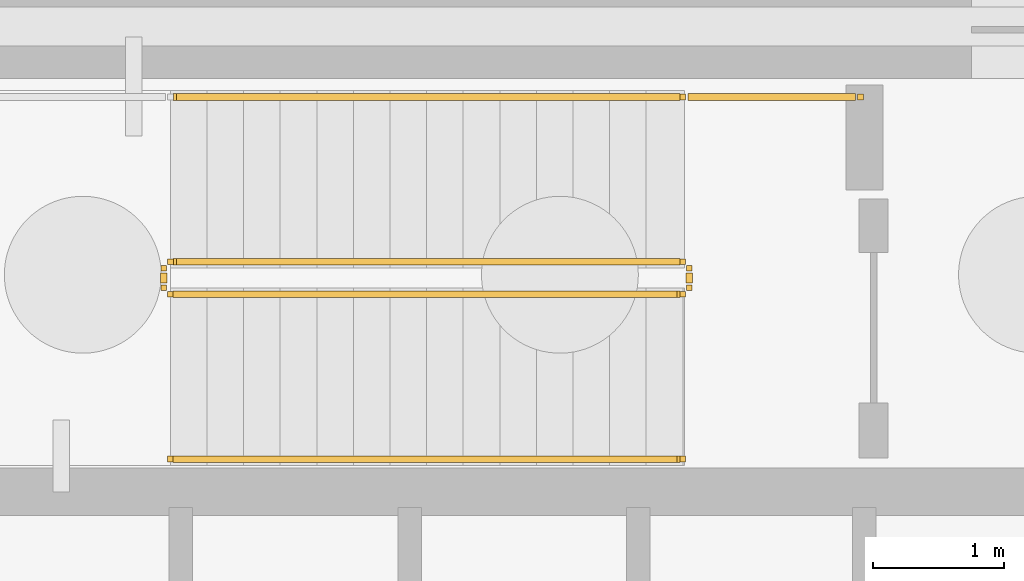
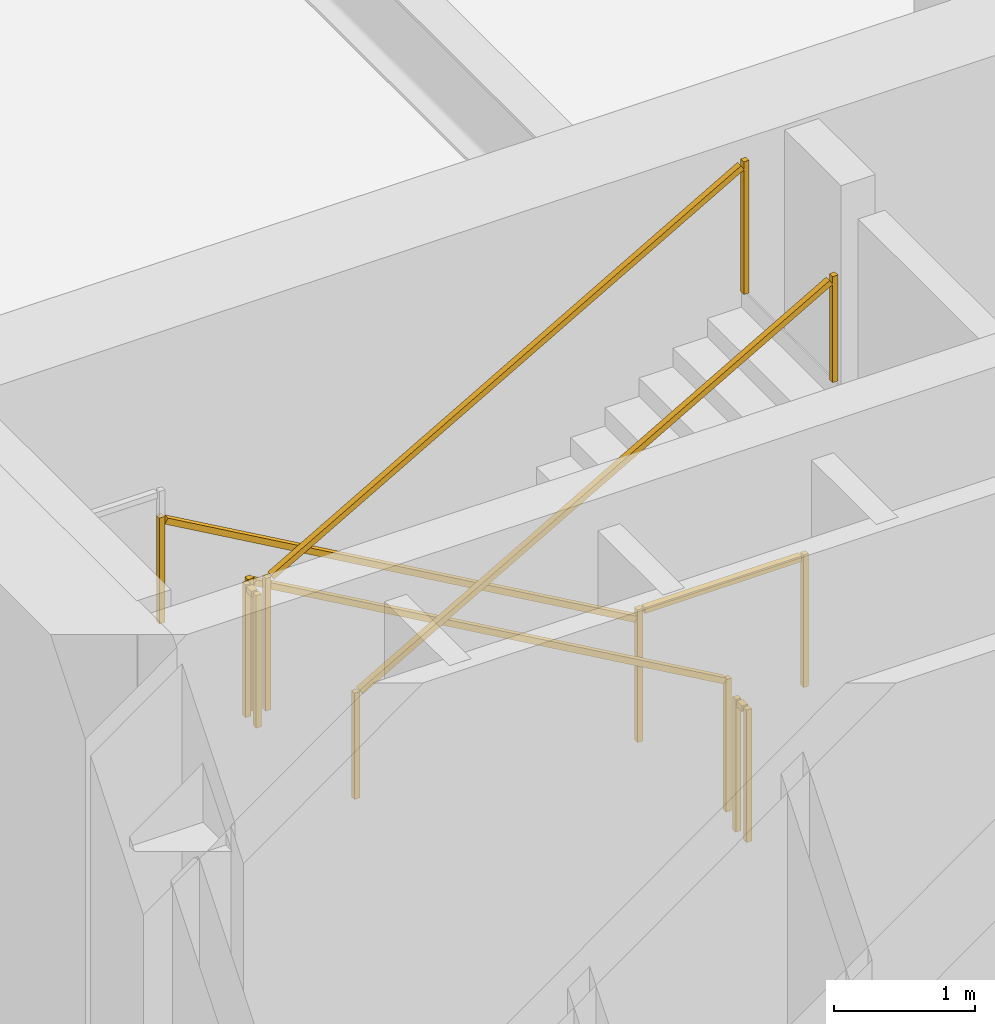
# One storey, part 12 of 14: 7 railings.
"""IFC4 building model written with IfcOpenShell, lengths in metres."""

from ifc_helpers import new_model, si_unit, direction, frame, origin, origin_2d, place, context, subcontext, project, spatial, rectangle, extrude, material, type_object, element, save


model = new_model("IFC4")

# Units and contexts
model_context = context("Model", 3, precision=1e-05, world=origin(), true_north=direction((0.0, 1.0)))
body_context = subcontext(model_context, "Body", "Model", "MODEL_VIEW")
ifc_project = project(units=[si_unit("LENGTHUNIT", "METRE"), si_unit("AREAUNIT", "SQUARE_METRE"), si_unit("VOLUMEUNIT", "CUBIC_METRE"), si_unit("PLANEANGLEUNIT", "RADIAN"), si_unit("MASSUNIT", "GRAM", prefix="KILO")], contexts=[model_context])

# Site, building, storey
site_placement = place(None, origin())
site = spatial("IfcSite", under=ifc_project, at=site_placement, CompositionType="ELEMENT")
building_placement = place(site_placement, origin())
building = spatial("IfcBuilding", under=site, at=building_placement, Name="Yunling Apex Tower", CompositionType="ELEMENT")
storey_placement = place(building_placement, frame((0.0, 0.0, -9.60009765625)))
storey = spatial("IfcBuildingStorey", under=building, at=storey_placement, Name="B02", CompositionType="ELEMENT", Elevation=-9.60009765625)

# Railings
ifc_material_1 = material(Name="Steel Q355B", Category="steel")
railing_type_1 = type_object("IfcRailingType", Name="RL-GRD-1150", PredefinedType="GUARDRAIL", material=ifc_material_1)
railing_1_placement = place(storey_placement, frame((-0.010009765625, 3.699951171875, 0.16015625)))
element("IfcRailing", 1, at=railing_1_placement, inside=storey, type_object=railing_type_1, Name="B02 ST-1 stair guard 1", PredefinedType="GUARDRAIL", context=body_context, shape_type="SweptSolid", body=[
    extrude(rectangle(XDim=0.0439453125, YDim=0.0439453125, at=origin_2d()), origin(), (0.0, 0.0, 1.0), 1.14990234375),
    extrude(rectangle(XDim=0.0439453125, YDim=0.0439453125, at=origin_2d()), frame((-3.919921875, 0.0, 2.239990234375)), (0.0, 0.0, 1.0), 1.14990234375),
    extrude(rectangle(XDim=0.050048828125, YDim=0.050048828125, at=origin_2d()), frame((-0.033203125, 0.0, 1.143798828125), z_axis=(-0.868239814368, 0.0, 0.496144761885), x_axis=(0.0, -1.0, 0.0)), (0.0, 0.0, 1.0), 4.438232421875),
])
railing_2_placement = place(storey_placement, frame((-3.97998046875, 3.64990234375, 2.400146484375)))
element("IfcRailing", 2, at=railing_2_placement, inside=storey, type_object=railing_type_1, Name="B02 ST-1 stair guard 2", PredefinedType="GUARDRAIL", context=body_context, shape_type="SweptSolid", body=[
    extrude(rectangle(XDim=0.0439453125, YDim=0.0439453125, at=origin_2d()), origin(), (0.0, 0.0, 1.0), 1.14990234375),
    extrude(rectangle(XDim=0.0439453125, YDim=0.0439453125, at=origin_2d()), frame((0.0, -0.14990234375, 0.0)), (0.0, 0.0, 1.0), 1.14990234375),
    extrude(rectangle(XDim=0.050048828125, YDim=0.050048828125, at=origin_2d()), frame((0.0, -0.038330078125, 1.125), z_axis=(0.0, -1.0, 0.0), x_axis=(1.0, 0.0, 0.0)), (0.0, 0.0, 1.0), 0.0732421875),
])
railing_3_placement = place(storey_placement, frame((-3.929931640625, 3.449951171875, 2.56005859375)))
element("IfcRailing", 3, at=railing_3_placement, inside=storey, type_object=railing_type_1, Name="B02 ST-1 stair guard 4", PredefinedType="GUARDRAIL", context=body_context, shape_type="SweptSolid", body=[
    extrude(rectangle(XDim=0.0439453125, YDim=0.0439453125, at=origin_2d()), origin(), (0.0, 0.0, 1.0), 1.14990234375),
    extrude(rectangle(XDim=0.0439453125, YDim=0.0439453125, at=origin_2d()), frame((3.919921875, 0.0, 2.239990234375)), (0.0, 0.0, 1.0), 1.14990234375),
    extrude(rectangle(XDim=0.050048828125, YDim=0.050048828125, at=origin_2d()), frame((0.033203125, 0.0, 1.143798828125), z_axis=(0.868239814368, 0.0, 0.496144761885), x_axis=(0.0, 1.0, 0.0)), (0.0, 0.0, 1.0), 4.438232421875),
])
railing_4_placement = place(storey_placement, frame((0.0400390625, 3.64990234375, 0.0)))
element("IfcRailing", 4, at=railing_4_placement, inside=storey, type_object=railing_type_1, Name="B02 ST-1 stair guard 5", PredefinedType="GUARDRAIL", context=body_context, shape_type="SweptSolid", body=[
    extrude(rectangle(XDim=0.0439453125, YDim=0.0439453125, at=origin_2d()), origin(), (0.0, 0.0, 1.0), 1.14990234375),
    extrude(rectangle(XDim=0.0439453125, YDim=0.0439453125, at=origin_2d()), frame((0.0, -0.14990234375, 0.0)), (0.0, 0.0, 1.0), 1.14990234375),
    extrude(rectangle(XDim=0.050048828125, YDim=0.050048828125, at=origin_2d()), frame((0.0, -0.038330078125, 1.125), z_axis=(0.0, -1.0, 0.0), x_axis=(1.0, 0.0, 0.0)), (0.0, 0.0, 1.0), 0.0732421875),
])
railing_5_placement = place(storey_placement, frame((1.35009765625, 4.9599609375, 0.0)))
element("IfcRailing", 5, at=railing_5_placement, inside=storey, type_object=railing_type_1, Name="B02 ST-1 stair guard 6", PredefinedType="GUARDRAIL", context=body_context, shape_type="SweptSolid", body=[
    extrude(rectangle(XDim=0.0439453125, YDim=0.0439453125, at=origin_2d()), origin(), (0.0, 0.0, 1.0), 1.14990234375),
    extrude(rectangle(XDim=0.0439453125, YDim=0.0439453125, at=origin_2d()), frame((-1.360107421875, 0.0, 0.0)), (0.0, 0.0, 1.0), 1.14990234375),
    extrude(rectangle(XDim=0.050048828125, YDim=0.050048828125, at=origin_2d()), frame((-0.038330078125, 0.0, 1.125), z_axis=(-1.0, 0.0, 0.0), x_axis=(0.0, -1.0, 0.0)), (0.0, 0.0, 1.0), 1.283447265625),
])
ifc_material_2 = material(Name="Silver anodised aluminium", Category="aluminium")
railing_type_2 = type_object("IfcRailingType", Name="RL-HND-900", PredefinedType="HANDRAIL", material=ifc_material_2)
railing_6_placement = place(storey_placement, frame((-0.010009765625, 4.9599609375, 0.16015625)))
element("IfcRailing", 6, at=railing_6_placement, inside=storey, type_object=railing_type_2, Name="B02 ST-1 stair handrail 1", PredefinedType="HANDRAIL", context=body_context, shape_type="SweptSolid", body=[
    extrude(rectangle(XDim=0.0439453125, YDim=0.0439453125, at=origin_2d()), origin(), (0.0, 0.0, 1.0), 0.919921875),
    extrude(rectangle(XDim=0.0439453125, YDim=0.0439453125, at=origin_2d()), frame((-3.919921875, 0.0, 2.239990234375)), (0.0, 0.0, 1.0), 0.919921875),
    extrude(rectangle(XDim=0.050048828125, YDim=0.050048828125, at=origin_2d()), frame((-0.033203125, 0.0, 0.913818359375), z_axis=(-0.868239814368, 0.0, 0.496144761885), x_axis=(0.0, -1.0, 0.0)), (0.0, 0.0, 1.0), 4.438232421875),
])
railing_7_placement = place(storey_placement, frame((-3.929931640625, 2.18994140625, 2.56005859375)))
element("IfcRailing", 7, at=railing_7_placement, inside=storey, type_object=railing_type_2, Name="B02 ST-1 stair handrail 2", PredefinedType="HANDRAIL", context=body_context, shape_type="SweptSolid", body=[
    extrude(rectangle(XDim=0.0439453125, YDim=0.0439453125, at=origin_2d()), origin(), (0.0, 0.0, 1.0), 0.919921875),
    extrude(rectangle(XDim=0.0439453125, YDim=0.0439453125, at=origin_2d()), frame((3.919921875, 0.0, 2.239990234375)), (0.0, 0.0, 1.0), 0.919921875),
    extrude(rectangle(XDim=0.050048828125, YDim=0.050048828125, at=origin_2d()), frame((0.033203125, 0.0, 0.913818359375), z_axis=(0.868239814368, 0.0, 0.496144761885), x_axis=(0.0, 1.0, 0.0)), (0.0, 0.0, 1.0), 4.438232421875),
])

save(model, "model.ifc")
